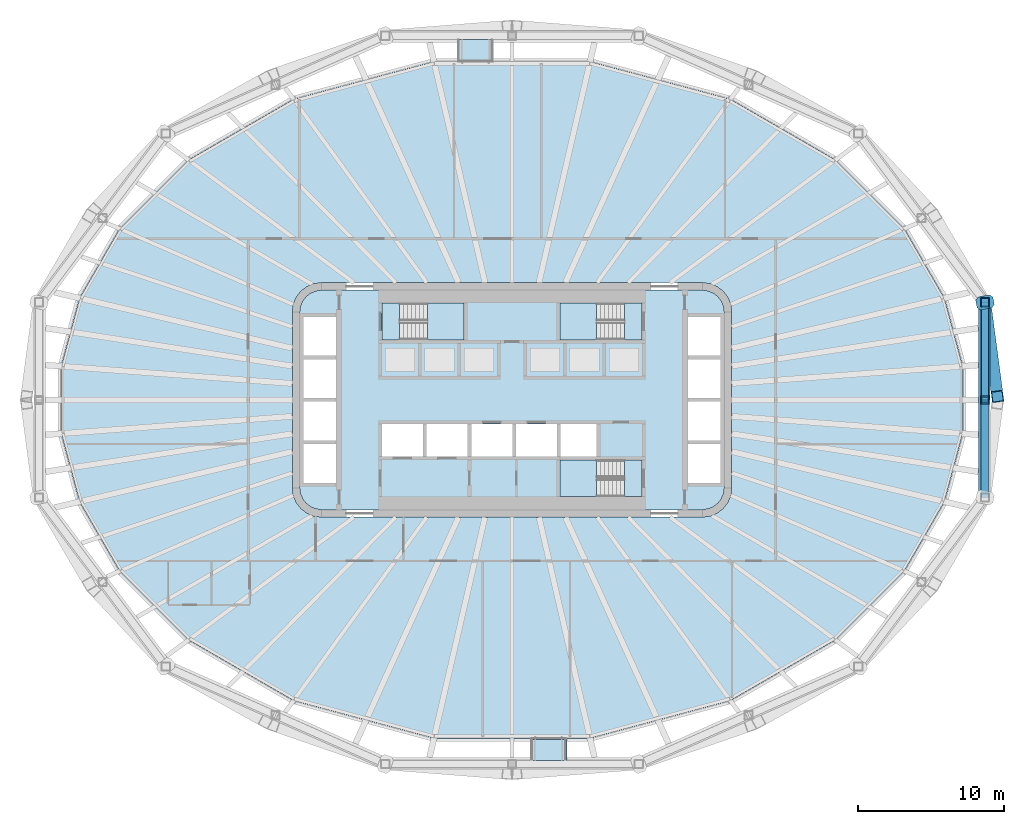
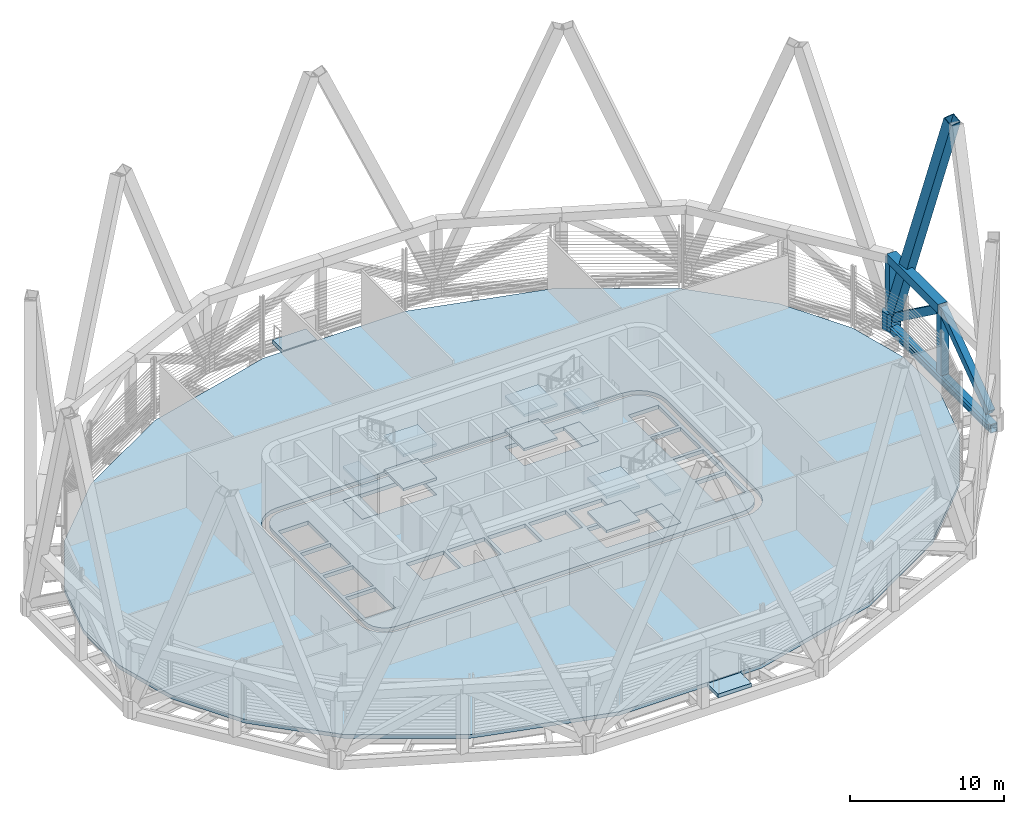
# One storey, part 5 of 18: 16 slabs, 7 members, 2 beams, 3 elements without a shape of their own.
"""IFC4 building model written with IfcOpenShell, lengths in metres."""

from ifc_helpers import new_model, si_unit, direction, frame, origin, origin_2d, place, context, subcontext, project, spatial, polyline, hollow_rectangle, i_section, outline, extrude, material, layer, layer_set, material_profile, profile_set, type_object, element, aggregate, save


model = new_model("IFC4")

# Units and contexts
model_context = context("Model", 3, precision=1e-05, world=origin(), true_north=direction((0.0, 1.0)))
body_context = subcontext(model_context, "Body", "Model", "MODEL_VIEW")
ifc_project = project(units=[si_unit("LENGTHUNIT", "METRE"), si_unit("AREAUNIT", "SQUARE_METRE"), si_unit("VOLUMEUNIT", "CUBIC_METRE"), si_unit("PLANEANGLEUNIT", "RADIAN"), si_unit("MASSUNIT", "GRAM", prefix="KILO")], contexts=[model_context])

# Site, building, storey
site_placement = place(None, origin())
site = spatial("IfcSite", under=ifc_project, at=site_placement, CompositionType="ELEMENT")
building_placement = place(site_placement, origin())
building = spatial("IfcBuilding", under=site, at=building_placement, Name="Sahrelin Media Tower", CompositionType="ELEMENT")
storey_placement = place(building_placement, frame((0.0, 0.0, 197.60009765625)))
storey = spatial("IfcBuildingStorey", under=building, at=storey_placement, Name="L42", CompositionType="ELEMENT", Elevation=197.60009765625)

# Members
ifc_material_1 = material(Name="Steel S460", Category="steel")
ifc_material_profile_1 = material_profile(ifc_material_1, hollow_rectangle(XDim=0.699951171875, YDim=0.699951171875, WallThickness=0.044921875, at=origin_2d()), Name="Belt truss chord BC")
ifc_profile_set_1 = profile_set([ifc_material_profile_1], Name="Steel S460")
member_type_1 = type_object("IfcMemberType", Name="Belt truss chord BC", PredefinedType="CHORD", material=ifc_profile_set_1)
member_1_placement = place(storey_placement, frame((32.288330078125, 0.0, 4.849853515625), z_axis=(0.0, 1.0, 0.0), x_axis=(-1.0, 0.0, 0.0)))
element("IfcMember", 1, at=member_1_placement, inside=storey, type_object=member_type_1, Name="Belt truss member BT09-11-T2", PredefinedType="CHORD", context=body_context, shape_type="SweptSolid", body=[
    extrude(hollow_rectangle(XDim=0.699951171875, YDim=0.699951171875, WallThickness=0.044921875, at=origin_2d()), origin(), (0.0, 0.0, 1.0), 6.6591796875),
])
ifc_material_profile_2 = material_profile(ifc_material_1, hollow_rectangle(XDim=0.5, YDim=0.60009765625, WallThickness=0.030029296875, at=origin_2d()), Name="Belt truss diagonal BD")
ifc_profile_set_2 = profile_set([ifc_material_profile_2], Name="Steel S460")
member_type_2 = type_object("IfcMemberType", Name="Belt truss diagonal BD", PredefinedType="BRACE", material=ifc_profile_set_2)
for number, where, z_axis, x_axis, name in (
    (2, (32.288330078125, -6.19970703125, 0.33447265625), (0.0, 0.808332578732, 0.588726118124), (-1.0, 0.0, 0.0), "Belt truss member BT09-11-X1"),
    (3, (32.288330078125, 6.19970703125, 0.33447265625), (0.0, -0.808332578732, 0.588726118124), (1.0, 0.0, 0.0), "Belt truss member BT09-11-X2"),
):
    element("IfcMember", number, at=place(storey_placement, frame(where, z_axis=z_axis, x_axis=x_axis)), inside=storey, type_object=member_type_2, Name=name, PredefinedType="BRACE", context=body_context, shape_type="SweptSolid", body=[
        extrude(hollow_rectangle(XDim=0.5, YDim=0.60009765625, WallThickness=0.030029296875, at=origin_2d()), origin(), (0.0, 0.0, 1.0), 7.669677734375),
    ])
ifc_material_profile_3 = material_profile(ifc_material_1, hollow_rectangle(XDim=0.60009765625, YDim=0.60009765625, WallThickness=0.034912109375, at=origin_2d()), Name="Belt truss post BP")
ifc_profile_set_3 = profile_set([ifc_material_profile_3], Name="Steel S460")
member_type_3 = type_object("IfcMemberType", Name="Belt truss post BP", PredefinedType="POST", material=ifc_profile_set_3)
member_2_placement = place(storey_placement, frame((32.288330078125, 6.6591796875, 0.699951171875), z_axis=(0.0, 0.0, 1.0), x_axis=(1.0, 0.0, 0.0)))
element("IfcMember", 4, at=member_2_placement, inside=storey, type_object=member_type_3, Name="Belt truss member BT09-00-P0", PredefinedType="POST", context=body_context, shape_type="SweptSolid", body=[
    extrude(hollow_rectangle(XDim=0.60009765625, YDim=0.60009765625, WallThickness=0.034912109375, at=origin_2d()), origin(), (0.0, 0.0, 1.0), 4.14990234375),
])
member_3_placement = place(storey_placement, frame((32.288330078125, 0.0, -0.320068359375), z_axis=(0.0, 0.0, 1.0), x_axis=(1.0, 0.0, 0.0)))
element("IfcMember", 5, at=member_3_placement, inside=storey, type_object=member_type_3, Name="Belt truss member BT09-11-P1", PredefinedType="POST", context=body_context, shape_type="SweptSolid", body=[
    extrude(hollow_rectangle(XDim=0.60009765625, YDim=0.60009765625, WallThickness=0.034912109375, at=origin_2d()), origin(), (0.0, 0.0, 1.0), 5.169921875),
])
ifc_material_profile_4 = material_profile(ifc_material_1, hollow_rectangle(XDim=0.800048828125, YDim=0.800048828125, WallThickness=0.044921875, at=origin_2d()), Name="Diagrid diagonal DG5")
ifc_profile_set_4 = profile_set([ifc_material_profile_4], Name="Steel S460")
member_type_4 = type_object("IfcMemberType", Name="Diagrid diagonal DG5", PredefinedType="BRACE", material=ifc_profile_set_4)
member_4_placement = place(storey_placement, frame((32.319091796875, 6.426025390625, 0.699951171875), z_axis=(0.041882656654, -0.315625510602, 0.947959060365), x_axis=(0.991310304721, 0.131544212162, 0.0)))
element("IfcMember", 6, at=member_4_placement, inside=storey, type_object=member_type_4, Name="Diagrid diagonal D09-00", PredefinedType="BRACE", context=body_context, shape_type="SweptSolid", body=[
    extrude(hollow_rectangle(XDim=0.800048828125, YDim=0.800048828125, WallThickness=0.044921875, at=origin_2d()), origin(), (0.0, 0.0, 1.0), 19.620849609375),
])
ifc_material_profile_5 = material_profile(ifc_material_1, outline(polyline([(0.39990234375, -0.449951171875), (0.60009765625, -0.25), (0.60009765625, 0.25), (0.39990234375, 0.449951171875), (-0.39990234375, 0.449951171875), (-0.60009765625, 0.25), (-0.60009765625, -0.25), (-0.39990234375, -0.449951171875), (0.39990234375, -0.449951171875)])), Name="Diagrid node block 1200")
ifc_profile_set_5 = profile_set([ifc_material_profile_5], Name="Steel S460")
member_type_5 = type_object("IfcMemberType", Name="Diagrid node block 1200", PredefinedType="USERDEFINED", material=ifc_profile_set_5)
member_5_placement = place(storey_placement, frame((32.288330078125, 6.6591796875, -0.7001953125), z_axis=(0.0, 0.0, 1.0), x_axis=(0.979388123462, 0.201987384808, 0.0)))
element("IfcMember", 7, at=member_5_placement, inside=storey, type_object=member_type_5, Name="Diagrid node N09-00", ObjectType="NODE", PredefinedType="USERDEFINED", context=body_context, shape_type="SweptSolid", body=[
    extrude(outline(polyline([(0.39990234375, -0.449951171875), (0.60009765625, -0.25), (0.60009765625, 0.25), (0.39990234375, 0.449951171875), (-0.39990234375, 0.449951171875), (-0.60009765625, 0.25), (-0.60009765625, -0.25), (-0.39990234375, -0.449951171875), (0.39990234375, -0.449951171875)])), origin(), (0.0, 0.0, 1.0), 1.400146484375),
])

# Beams
ifc_material_profile_6 = material_profile(ifc_material_1, hollow_rectangle(XDim=0.5, YDim=0.699951171875, WallThickness=0.034912109375, at=origin_2d()), Name="Diagrid ring beam RB2")
ifc_profile_set_6 = profile_set([ifc_material_profile_6], Name="Steel S460")
beam_type_1 = type_object("IfcBeamType", Name="Diagrid ring beam RB2", PredefinedType="BEAM", material=ifc_profile_set_6)
beam_1_placement = place(storey_placement, frame((32.288330078125, -6.6591796875, -0.650146484375), z_axis=(0.0, 1.0, 0.0), x_axis=(-1.0, 0.0, 0.0)))
element("IfcBeam", 8, at=beam_1_placement, inside=storey, type_object=beam_type_1, Name="Diagrid ring beam RB09-11", PredefinedType="BEAM", context=body_context, shape_type="SweptSolid", body=[
    extrude(hollow_rectangle(XDim=0.5, YDim=0.699951171875, WallThickness=0.034912109375, at=origin_2d()), origin(), (0.0, 0.0, 1.0), 13.318359375),
])
ifc_material_2 = material(Name="Steel S355", Category="steel")
ifc_material_profile_7 = material_profile(ifc_material_2, i_section(OverallWidth=0.1904296875, OverallDepth=0.45703125, WebThickness=0.009033203125, FlangeThickness=0.014404296875, FilletRadius=0.01025390625, at=origin_2d()), Name="UB 457x191x74")
ifc_profile_set_7 = profile_set([ifc_material_profile_7], Name="Steel S355")
beam_type_2 = type_object("IfcBeamType", Name="Tie chord TC5", PredefinedType="BEAM", material=ifc_profile_set_7)
beam_2_placement = place(storey_placement, frame((31.93798828125, 6.54248046875, -0.528564453125), z_axis=(0.0, -1.0, 0.0), x_axis=(1.0, 0.0, 0.0)))
element("IfcBeam", 9, at=beam_2_placement, inside=storey, type_object=beam_type_2, Name="Tie chord L42-01", PredefinedType="BEAM", context=body_context, shape_type="SweptSolid", body=[
    extrude(i_section(OverallWidth=0.1904296875, OverallDepth=0.45703125, WebThickness=0.009033203125, FlangeThickness=0.014404296875, FilletRadius=0.01025390625, at=origin_2d()), origin(), (0.0, 0.0, 1.0), 13.0849609375),
])

# Slabs
ifc_material_3 = material(Name="Concrete C40/50", Category="concrete")
ifc_layer_1 = layer(ifc_material_3, 0.300048828125)
ifc_layer_set_1 = layer_set([ifc_layer_1], Name="Composite floor slab 300")
slab_type_1 = type_object("IfcSlabType", Name="Composite floor slab 300", PredefinedType="FLOOR", material=ifc_layer_set_1)
placement_1 = place(storey_placement, frame((0.0, 0.0, -0.300048828125)))
element("IfcSlab", 10, at=placement_1, inside=storey, type_object=slab_type_1, Name="Floor slab L42", PredefinedType="FLOOR", context=body_context, shape_type="SweptSolid", body=[
    extrude(outline(polyline([(30.77978515625, -2.29931640625), (30.77978515625, 2.29931640625), (29.534912109375, 6.94482421875), (26.798583984375, 11.684326171875), (22.096923828125, 16.385986328125), (14.920654296875, 20.529296875), (5.329833984375, 23.09912109375), (-5.329833984375, 23.09912109375), (-14.920654296875, 20.529296875), (-22.096923828125, 16.385986328125), (-26.798583984375, 11.684326171875), (-29.534912109375, 6.94482421875), (-30.77978515625, 2.29931640625), (-30.77978515625, -2.29931640625), (-29.534912109375, -6.94482421875), (-26.798583984375, -11.684326171875), (-22.096923828125, -16.385986328125), (-14.920654296875, -20.529296875), (-5.329833984375, -23.09912109375), (5.329833984375, -23.09912109375), (14.920654296875, -20.529296875), (22.096923828125, -16.385986328125), (26.798583984375, -11.684326171875), (29.534912109375, -6.94482421875), (30.77978515625, -2.29931640625)]), holes=[polyline([(14.931884765625, 6.517578125), (15.0, 6.0), (15.0, -6.0), (14.931884765625, -6.517578125), (14.732177734375, -7.0), (14.414306640625, -7.414306640625), (14.0, -7.732177734375), (13.517578125, -7.931884765625), (13.0, -8.0), (-13.0, -8.0), (-13.517578125, -7.931884765625), (-14.0, -7.732177734375), (-14.414306640625, -7.414306640625), (-14.732177734375, -7.0), (-14.931884765625, -6.517578125), (-15.0, -6.0), (-15.0, 6.0), (-14.931884765625, 6.517578125), (-14.732177734375, 7.0), (-14.414306640625, 7.414306640625), (-14.0, 7.732177734375), (-13.517578125, 7.931884765625), (-13.0, 8.0), (13.0, 8.0), (13.517578125, 7.931884765625), (14.0, 7.732177734375), (14.414306640625, 7.414306640625), (14.732177734375, 7.0), (14.931884765625, 6.517578125)])]), origin(), (0.0, 0.0, 1.0), 0.300048828125),
])
ifc_layer_2 = layer(ifc_material_3, 0.300048828125)
ifc_layer_set_2 = layer_set([ifc_layer_2], Name="Core floor slab 300")
slab_type_2 = type_object("IfcSlabType", Name="Core floor slab 300", PredefinedType="FLOOR", material=ifc_layer_set_2)
element("IfcSlab", 11, at=placement_1, inside=storey, type_object=slab_type_2, Name="Core floor", PredefinedType="FLOOR", context=body_context, shape_type="SweptSolid", body=[
    extrude(outline(polyline([(-14.44482421875, 6.38720703125), (-14.5, 5.96728515625), (-14.5, -5.96728515625), (-14.44482421875, -6.38720703125), (-14.29541015625, -6.747802734375), (-14.0576171875, -7.0576171875), (-13.747802734375, -7.29541015625), (-13.38720703125, -7.44482421875), (-12.96728515625, -7.5), (12.96728515625, -7.5), (13.38720703125, -7.44482421875), (13.747802734375, -7.29541015625), (14.0576171875, -7.0576171875), (14.29541015625, -6.747802734375), (14.44482421875, -6.38720703125), (14.5, -5.96728515625), (14.5, 5.96728515625), (14.44482421875, 6.38720703125), (14.29541015625, 6.747802734375), (14.0576171875, 7.0576171875), (13.747802734375, 7.29541015625), (13.38720703125, 7.44482421875), (12.96728515625, 7.5), (-12.96728515625, 7.5), (-13.38720703125, 7.44482421875), (-13.747802734375, 7.29541015625), (-14.0576171875, 7.0576171875), (-14.29541015625, 6.747802734375), (-14.44482421875, 6.38720703125)]), holes=[polyline([(-12.0, 3.02490234375), (-12.0, 5.675048828125), (-14.25, 5.675048828125), (-14.25, 3.02490234375), (-12.0, 3.02490234375)]), polyline([(-14.25, 0.125), (-12.0, 0.125), (-12.0, 2.77490234375), (-14.25, 2.77490234375), (-14.25, 0.125)]), polyline([(-14.25, -0.125), (-14.25, -2.77490234375), (-12.0, -2.77490234375), (-12.0, -0.125), (-14.25, -0.125)]), polyline([(-12.0, -3.02490234375), (-14.25, -3.02490234375), (-14.25, -5.675048828125), (-12.0, -5.675048828125), (-12.0, -3.02490234375)]), polyline([(14.25, 3.02490234375), (14.25, 5.675048828125), (12.0, 5.675048828125), (12.0, 3.02490234375), (14.25, 3.02490234375)]), polyline([(12.0, 0.125), (14.25, 0.125), (14.25, 2.77490234375), (12.0, 2.77490234375), (12.0, 0.125)]), polyline([(12.0, -0.125), (12.0, -2.77490234375), (14.25, -2.77490234375), (14.25, -0.125), (12.0, -0.125)]), polyline([(14.25, -3.02490234375), (12.0, -3.02490234375), (12.0, -5.675048828125), (14.25, -5.675048828125), (14.25, -3.02490234375)]), polyline([(-6.074951171875, -3.85009765625), (-6.074951171875, -1.64990234375), (-8.875, -1.64990234375), (-8.875, -3.85009765625), (-6.074951171875, -3.85009765625)]), polyline([(-5.824951171875, -3.85009765625), (-3.02490234375, -3.85009765625), (-3.02490234375, -1.64990234375), (-5.824951171875, -1.64990234375), (-5.824951171875, -3.85009765625)]), polyline([(-2.77490234375, -1.64990234375), (-2.77490234375, -3.85009765625), (0.02490234375, -3.85009765625), (0.02490234375, -1.64990234375), (-2.77490234375, -1.64990234375)]), polyline([(3.074951171875, -1.64990234375), (0.27490234375, -1.64990234375), (0.27490234375, -3.85009765625), (3.074951171875, -3.85009765625), (3.074951171875, -1.64990234375)]), polyline([(5.77490234375, -3.85009765625), (5.77490234375, -1.64990234375), (3.324951171875, -1.64990234375), (3.324951171875, -3.85009765625), (5.77490234375, -3.85009765625)]), polyline([(-8.875, 6.60009765625), (-8.875, 4.10009765625), (-3.27490234375, 4.10009765625), (-3.27490234375, 6.60009765625), (-8.875, 6.60009765625)]), polyline([(3.27490234375, 4.10009765625), (8.875, 4.10009765625), (8.875, 6.60009765625), (3.27490234375, 6.60009765625), (3.27490234375, 4.10009765625)]), polyline([(3.27490234375, -4.10009765625), (3.27490234375, -6.60009765625), (8.875, -6.60009765625), (8.875, -4.10009765625), (3.27490234375, -4.10009765625)])]), origin(), (0.0, 0.0, 1.0), 0.300048828125),
])
ifc_layer_3 = layer(ifc_material_2, 0.14990234375)
ifc_layer_set_3 = layer_set([ifc_layer_3], Name="Maintenance platform")
slab_type_3 = type_object("IfcSlabType", Name="Maintenance platform", PredefinedType="FLOOR", material=ifc_layer_set_3)
element("IfcSlab", 12, at=placement_1, inside=storey, type_object=slab_type_3, Name="Maintenance platform L42-06", PredefinedType="FLOOR", context=body_context, shape_type="SweptSolid", body=[
    extrude(outline(polyline([(-1.25, 23.194091796875), (-3.75, 23.194091796875), (-3.75, 24.602294921875), (-1.25, 24.602294921875), (-1.25, 23.194091796875)])), origin(), (0.0, 0.0, 1.0), 0.300048828125),
])
element("IfcSlab", 13, at=placement_1, inside=storey, type_object=slab_type_3, Name="Maintenance platform L42-18", PredefinedType="FLOOR", context=body_context, shape_type="SweptSolid", body=[
    extrude(outline(polyline([(1.25, -23.194091796875), (3.75, -23.194091796875), (3.75, -24.602294921875), (1.25, -24.602294921875), (1.25, -23.194091796875)])), origin(), (0.0, 0.0, 1.0), 0.300048828125),
])

# Stair, slabs
stair_type = type_object("IfcStairType", Name="Exit stair 1200", PredefinedType="HALF_TURN_STAIR", material=ifc_material_3)
placement_2 = place(storey_placement, origin())
stair_1 = element("IfcStair", 14, at=placement_2, inside=storey, type_object=stair_type, Name="L42 Exit stair ST1", PredefinedType="HALF_TURN_STAIR")
ifc_layer_4 = layer(ifc_material_3, 0.199951171875)
ifc_layer_set_4 = layer_set([ifc_layer_4], Name="Stair landing 200")
slab_type_4 = type_object("IfcSlabType", Name="Stair landing 200", PredefinedType="LANDING", material=ifc_layer_set_4)
placement_3 = place(storey_placement, frame((0.0, 0.0, 1.14990234375)))
slab_5 = element("IfcSlab", 15, at=placement_3, type_object=slab_type_4, Name="ST1 landing 1", PredefinedType="LANDING", context=body_context, shape_type="SweptSolid", body=[
    extrude(outline(polyline([(-5.77490234375, 4.10009765625), (-3.27490234375, 4.10009765625), (-3.27490234375, 6.60009765625), (-5.77490234375, 6.60009765625), (-5.77490234375, 4.10009765625)])), origin(), (0.0, 0.0, 1.0), 0.199951171875),
])
placement_4 = place(storey_placement, frame((0.0, 0.0, 2.5)))
slab_6 = element("IfcSlab", 16, at=placement_4, type_object=slab_type_4, Name="ST1 landing 2", PredefinedType="LANDING", context=body_context, shape_type="SweptSolid", body=[
    extrude(outline(polyline([(-8.875, 4.10009765625), (-7.675048828125, 4.10009765625), (-7.675048828125, 6.60009765625), (-8.875, 6.60009765625), (-8.875, 4.10009765625)])), origin(), (0.0, 0.0, 1.0), 0.199951171875),
])
placement_5 = place(storey_placement, frame((0.0, 0.0, 3.849853515625)))
slab_7 = element("IfcSlab", 17, at=placement_5, type_object=slab_type_4, Name="ST1 landing 3", PredefinedType="LANDING", context=body_context, shape_type="SweptSolid", body=[
    extrude(outline(polyline([(-5.77490234375, 4.10009765625), (-3.27490234375, 4.10009765625), (-3.27490234375, 6.60009765625), (-5.77490234375, 6.60009765625), (-5.77490234375, 4.10009765625)])), origin(), (0.0, 0.0, 1.0), 0.199951171875),
])
placement_6 = place(storey_placement, frame((0.0, 0.0, -0.2001953125)))
slab_8 = element("IfcSlab", 18, at=placement_6, type_object=slab_type_4, Name="ST1 landing 4", PredefinedType="LANDING", context=body_context, shape_type="SweptSolid", body=[
    extrude(outline(polyline([(-8.875, 4.10009765625), (-7.675048828125, 4.10009765625), (-7.675048828125, 6.60009765625), (-8.875, 6.60009765625), (-8.875, 4.10009765625)])), origin(), (0.0, 0.0, 1.0), 0.2001953125),
])
aggregate(stair_1, [slab_5, slab_6, slab_7, slab_8])

stair_2 = element("IfcStair", 19, at=placement_2, inside=storey, type_object=stair_type, Name="L42 Exit stair ST3", PredefinedType="HALF_TURN_STAIR")
slab_9 = element("IfcSlab", 20, at=placement_3, type_object=slab_type_4, Name="ST3 landing 1", PredefinedType="LANDING", context=body_context, shape_type="SweptSolid", body=[
    extrude(outline(polyline([(5.77490234375, 6.60009765625), (3.27490234375, 6.60009765625), (3.27490234375, 4.10009765625), (5.77490234375, 4.10009765625), (5.77490234375, 6.60009765625)])), origin(), (0.0, 0.0, 1.0), 0.199951171875),
])
slab_10 = element("IfcSlab", 21, at=placement_4, type_object=slab_type_4, Name="ST3 landing 2", PredefinedType="LANDING", context=body_context, shape_type="SweptSolid", body=[
    extrude(outline(polyline([(8.875, 6.60009765625), (7.675048828125, 6.60009765625), (7.675048828125, 4.10009765625), (8.875, 4.10009765625), (8.875, 6.60009765625)])), origin(), (0.0, 0.0, 1.0), 0.199951171875),
])
slab_11 = element("IfcSlab", 22, at=placement_5, type_object=slab_type_4, Name="ST3 landing 3", PredefinedType="LANDING", context=body_context, shape_type="SweptSolid", body=[
    extrude(outline(polyline([(5.77490234375, 6.60009765625), (3.27490234375, 6.60009765625), (3.27490234375, 4.10009765625), (5.77490234375, 4.10009765625), (5.77490234375, 6.60009765625)])), origin(), (0.0, 0.0, 1.0), 0.199951171875),
])
slab_12 = element("IfcSlab", 23, at=placement_6, type_object=slab_type_4, Name="ST3 landing 4", PredefinedType="LANDING", context=body_context, shape_type="SweptSolid", body=[
    extrude(outline(polyline([(8.875, 6.60009765625), (7.675048828125, 6.60009765625), (7.675048828125, 4.10009765625), (8.875, 4.10009765625), (8.875, 6.60009765625)])), origin(), (0.0, 0.0, 1.0), 0.2001953125),
])
aggregate(stair_2, [slab_9, slab_10, slab_11, slab_12])

stair_3 = element("IfcStair", 24, at=placement_2, inside=storey, type_object=stair_type, Name="L42 Exit stair ST2", PredefinedType="HALF_TURN_STAIR")
slab_13 = element("IfcSlab", 25, at=placement_3, type_object=slab_type_4, Name="ST2 landing 1", PredefinedType="LANDING", context=body_context, shape_type="SweptSolid", body=[
    extrude(outline(polyline([(5.77490234375, -4.10009765625), (3.27490234375, -4.10009765625), (3.27490234375, -6.60009765625), (5.77490234375, -6.60009765625), (5.77490234375, -4.10009765625)])), origin(), (0.0, 0.0, 1.0), 0.199951171875),
])
slab_14 = element("IfcSlab", 26, at=placement_4, type_object=slab_type_4, Name="ST2 landing 2", PredefinedType="LANDING", context=body_context, shape_type="SweptSolid", body=[
    extrude(outline(polyline([(8.875, -4.10009765625), (7.675048828125, -4.10009765625), (7.675048828125, -6.60009765625), (8.875, -6.60009765625), (8.875, -4.10009765625)])), origin(), (0.0, 0.0, 1.0), 0.199951171875),
])
slab_15 = element("IfcSlab", 27, at=placement_5, type_object=slab_type_4, Name="ST2 landing 3", PredefinedType="LANDING", context=body_context, shape_type="SweptSolid", body=[
    extrude(outline(polyline([(5.77490234375, -4.10009765625), (3.27490234375, -4.10009765625), (3.27490234375, -6.60009765625), (5.77490234375, -6.60009765625), (5.77490234375, -4.10009765625)])), origin(), (0.0, 0.0, 1.0), 0.199951171875),
])
slab_16 = element("IfcSlab", 28, at=placement_6, type_object=slab_type_4, Name="ST2 landing 4", PredefinedType="LANDING", context=body_context, shape_type="SweptSolid", body=[
    extrude(outline(polyline([(8.875, -4.10009765625), (7.675048828125, -4.10009765625), (7.675048828125, -6.60009765625), (8.875, -6.60009765625), (8.875, -4.10009765625)])), origin(), (0.0, 0.0, 1.0), 0.2001953125),
])
aggregate(stair_3, [slab_13, slab_14, slab_15, slab_16])

save(model, "model.ifc")
